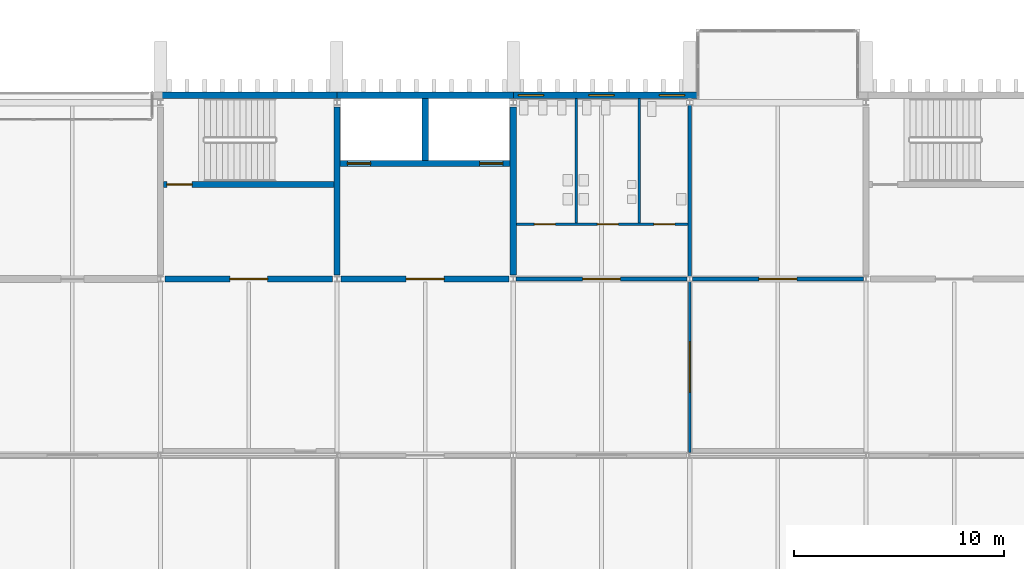
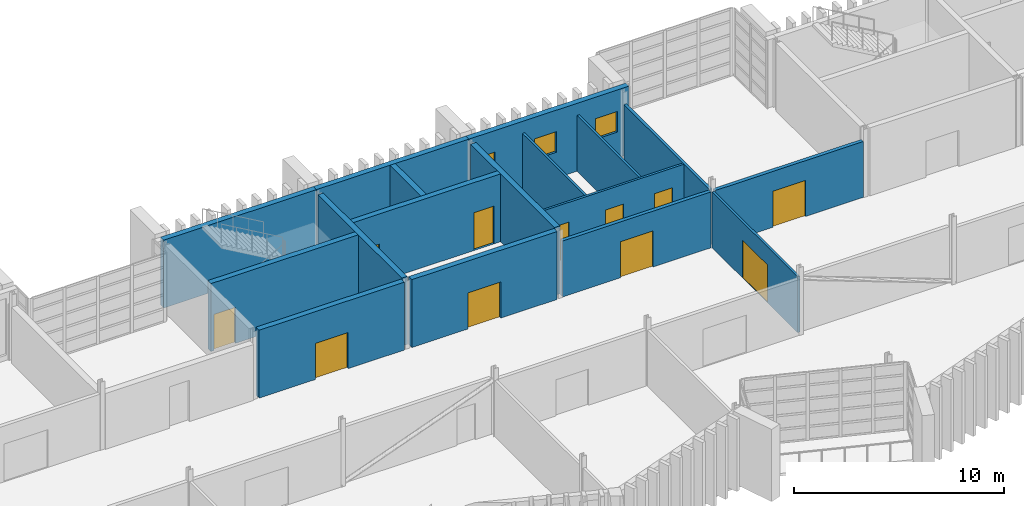
# One storey, part 60 of 88: 17 walls, 11 doors, 3 windows, 14 openings.
"""IFC4 building model written with IfcOpenShell, lengths in metres."""

from ifc_helpers import new_model, si_unit, direction, frame, frame_2d, origin, place, context, subcontext, project, spatial, rectangle, extrude, material, layer, layer_set, type_object, element, fill, save


model = new_model("IFC4")

# Units and contexts
model_context = context("Model", 3, precision=1e-05, world=origin(), true_north=direction((0.0, 1.0)))
body_context = subcontext(model_context, "Body", "Model", "MODEL_VIEW")
ifc_project = project(units=[si_unit("LENGTHUNIT", "METRE"), si_unit("AREAUNIT", "SQUARE_METRE"), si_unit("VOLUMEUNIT", "CUBIC_METRE"), si_unit("PLANEANGLEUNIT", "RADIAN"), si_unit("MASSUNIT", "GRAM", prefix="KILO")], contexts=[model_context])

# Site, building, storey
site_placement = place(None, origin())
site = spatial("IfcSite", under=ifc_project, at=site_placement, CompositionType="ELEMENT")
building_placement = place(site_placement, origin())
building = spatial("IfcBuilding", under=site, at=building_placement, Name="Cresset Court Congress Hotel", CompositionType="ELEMENT")
storey_placement = place(building_placement, frame((0.0, 0.0, 14.39990234375)))
storey = spatial("IfcBuildingStorey", under=building, at=storey_placement, Name="L03", CompositionType="ELEMENT", Elevation=14.39990234375)

# Walls
ifc_material_1 = material(Name="Concrete C50", Category="concrete")
ifc_layer_1 = layer(ifc_material_1, 0.300048828125)
ifc_layer_set_1 = layer_set([ifc_layer_1], Name="Core wall 300 Concrete C50")
wall_type_1 = type_object("IfcWallType", Name="Core wall 300 Concrete C50", PredefinedType="SHEAR", material=ifc_layer_set_1)
for number, where, z_axis, x_axis, name in (
    (1, (109.199951171875, 17.0, 0.0), (0.0, 0.0, 1.0), (0.0, 1.0, 0.0), "Core wall LC-B2"),
    (2, (117.60009765625, 17.0, 0.0), (0.0, 0.0, 1.0), (0.0, 1.0, 0.0), "Core wall LC-B2"),
):
    element("IfcWall", number, at=place(storey_placement, frame(where, z_axis=z_axis, x_axis=x_axis)), inside=storey, type_object=wall_type_1, Name=name, PredefinedType="SHEAR", context=body_context, shape_type="SweptSolid", body=[
        extrude(rectangle(XDim=8.0, YDim=0.300048828125, at=frame_2d((4.0, 0.0))), origin(), (0.0, 0.0, 1.0), 3.9501953125),
    ])

# Wall, opening, door
wall_1_placement = place(storey_placement, frame((109.39990234375, 16.800048828125, 0.0), z_axis=(0.0, 0.0, 1.0), x_axis=(1.0, 0.0, 0.0)))
wall_1 = element("IfcWall", 3, at=wall_1_placement, inside=storey, type_object=wall_type_1, Name="Core wall LC-B2", PredefinedType="SHEAR", context=body_context, shape_type="SweptSolid", body=[
    extrude(rectangle(XDim=8.0, YDim=0.300048828125, at=frame_2d((4.0, 0.0))), origin(), (0.0, 0.0, 1.0), 3.9501953125),
])
opening_1_placement = place(wall_1_placement, frame((3.10009765625, 0.0, 0.0)))
opening_1 = element("IfcOpeningElement", 4, at=opening_1_placement, cuts=wall_1, Name="Opening DB-03-38", PredefinedType="OPENING", context=body_context, shape_type="SweptSolid", body=[
    extrude(rectangle(XDim=1.800048828125, YDim=2.10009765625, at=frame_2d((0.89990234375, 1.050048828125))), frame((0.0, 0.159912109375, 0.0), z_axis=(0.0, -1.0, 0.0), x_axis=(1.0, 0.0, 0.0)), (0.0, 0.0, 1.0), 0.320068359375),
])
ifc_material_2 = material(Name="Timber and steel frame", Category="steel")
door_type_1 = type_object("IfcDoorType", Name="Lobby fire door FD60 double 1800x2100", OperationType="DOUBLE_DOOR_SINGLE_SWING", PredefinedType="DOOR", material=ifc_material_2)
door_1_placement = place(opening_1_placement, origin())
door_1 = element("IfcDoor", 5, at=door_1_placement, inside=storey, type_object=door_type_1, Name="Lift lobby door LC-B2", OperationType="DOUBLE_DOOR_SINGLE_SWING", OverallHeight=2.10009765625, OverallWidth=1.800048828125, PredefinedType="DOOR", context=body_context, shape_type="SweptSolid", body=[
    extrude(rectangle(XDim=1.800048828125, YDim=2.10009765625, at=frame_2d((0.89990234375, 1.050048828125))), frame((0.0, 0.02490234375, 0.0), z_axis=(0.0, -1.0, 0.0), x_axis=(1.0, 0.0, 0.0)), (0.0, 0.0, 1.0), 0.050048828125),
])
fill(opening_1, door_1)

# Wall, openings, doors
wall_2_placement = place(storey_placement, frame((109.35009765625, 22.300048828125, 0.0), z_axis=(0.0, 0.0, 1.0), x_axis=(1.0, 0.0, 0.0)))
wall_2 = element("IfcWall", 6, at=wall_2_placement, inside=storey, type_object=wall_type_1, Name="Core wall LC-B2", PredefinedType="SHEAR", context=body_context, shape_type="SweptSolid", body=[
    extrude(rectangle(XDim=8.099853515625, YDim=0.300048828125, at=frame_2d((4.0498046875, 0.0))), origin(), (0.0, 0.0, 1.0), 3.9501953125),
])
opening_2_placement = place(wall_2_placement, frame((0.35009765625, 0.0, 0.0)))
opening_2 = element("IfcOpeningElement", 7, at=opening_2_placement, cuts=wall_2, Name="Opening LD-B2-09", PredefinedType="OPENING", context=body_context, shape_type="SweptSolid", body=[
    extrude(rectangle(XDim=1.10009765625, YDim=2.199951171875, at=frame_2d((0.550048828125, 1.10009765625))), frame((0.0, 0.159912109375, 0.0), z_axis=(0.0, -1.0, 0.0), x_axis=(1.0, 0.0, 0.0)), (0.0, 0.0, 1.0), 0.320068359375),
])
opening_3_placement = place(wall_2_placement, frame((6.64990234375, 0.0, 0.0)))
opening_3 = element("IfcOpeningElement", 8, at=opening_3_placement, cuts=wall_2, Name="Opening LD-B2-10", PredefinedType="OPENING", context=body_context, shape_type="SweptSolid", body=[
    extrude(rectangle(XDim=1.10009765625, YDim=2.199951171875, at=frame_2d((0.550048828125, 1.10009765625))), frame((0.0, 0.159912109375, 0.0), z_axis=(0.0, -1.0, 0.0), x_axis=(1.0, 0.0, 0.0)), (0.0, 0.0, 1.0), 0.320068359375),
])
ifc_material_3 = material(Name="Stainless steel", Category="steel")
door_type_2 = type_object("IfcDoorType", Name="Lift landing door sliding 1100x2200", OperationType="SLIDING_TO_LEFT", PredefinedType="DOOR", material=ifc_material_3)
door_2_placement = place(opening_2_placement, origin())
door_2 = element("IfcDoor", 9, at=door_2_placement, inside=storey, type_object=door_type_2, Name="Lift landing door LD-B2-09", OperationType="SLIDING_TO_LEFT", OverallHeight=2.199951171875, OverallWidth=1.10009765625, PredefinedType="DOOR", context=body_context, shape_type="SweptSolid", body=[
    extrude(rectangle(XDim=1.10009765625, YDim=2.199951171875, at=frame_2d((0.550048828125, 1.10009765625))), frame((0.0, 0.02490234375, 0.0), z_axis=(0.0, -1.0, 0.0), x_axis=(1.0, 0.0, 0.0)), (0.0, 0.0, 1.0), 0.050048828125),
])
fill(opening_2, door_2)
door_3_placement = place(opening_3_placement, origin())
door_3 = element("IfcDoor", 10, at=door_3_placement, inside=storey, type_object=door_type_2, Name="Lift landing door LD-B2-10", OperationType="SLIDING_TO_LEFT", OverallHeight=2.199951171875, OverallWidth=1.10009765625, PredefinedType="DOOR", context=body_context, shape_type="SweptSolid", body=[
    extrude(rectangle(XDim=1.10009765625, YDim=2.199951171875, at=frame_2d((0.550048828125, 1.10009765625))), frame((0.0, 0.02490234375, 0.0), z_axis=(0.0, -1.0, 0.0), x_axis=(1.0, 0.0, 0.0)), (0.0, 0.0, 1.0), 0.050048828125),
])
fill(opening_3, door_3)

# Wall
wall_3_placement = place(storey_placement, frame((113.39990234375, 22.449951171875, 0.0), z_axis=(0.0, 0.0, 1.0), x_axis=(0.0, 1.0, 0.0)))
element("IfcWall", 11, at=wall_3_placement, inside=storey, type_object=wall_type_1, Name="Core wall LC-B2", PredefinedType="SHEAR", context=body_context, shape_type="SweptSolid", body=[
    extrude(rectangle(XDim=2.949951171875, YDim=0.300048828125, at=frame_2d((1.47509765625, 0.0))), origin(), (0.0, 0.0, 1.0), 3.9501953125),
])

# Wall, opening, door
wall_4_placement = place(storey_placement, frame((101.0, 16.800048828125, 0.0), z_axis=(0.0, 0.0, 1.0), x_axis=(1.0, 0.0, 0.0)))
wall_4 = element("IfcWall", 12, at=wall_4_placement, inside=storey, type_object=wall_type_1, Name="Core wall ST-B4", PredefinedType="SHEAR", context=body_context, shape_type="SweptSolid", body=[
    extrude(rectangle(XDim=8.0, YDim=0.300048828125, at=frame_2d((4.0, 0.0))), origin(), (0.0, 0.0, 1.0), 3.9501953125),
])
opening_4_placement = place(wall_4_placement, frame((3.10009765625, 0.0, 0.0)))
opening_4 = element("IfcOpeningElement", 13, at=opening_4_placement, cuts=wall_4, Name="Opening DB-03-51", PredefinedType="OPENING", context=body_context, shape_type="SweptSolid", body=[
    extrude(rectangle(XDim=1.800048828125, YDim=2.10009765625, at=frame_2d((0.89990234375, 1.050048828125))), frame((0.0, 0.159912109375, 0.0), z_axis=(0.0, -1.0, 0.0), x_axis=(1.0, 0.0, 0.0)), (0.0, 0.0, 1.0), 0.320068359375),
])
door_4_placement = place(opening_4_placement, origin())
door_4 = element("IfcDoor", 14, at=door_4_placement, inside=storey, type_object=door_type_1, Name="Stair lobby door ST-B4", OperationType="DOUBLE_DOOR_SINGLE_SWING", OverallHeight=2.10009765625, OverallWidth=1.800048828125, PredefinedType="DOOR", context=body_context, shape_type="SweptSolid", body=[
    extrude(rectangle(XDim=1.800048828125, YDim=2.10009765625, at=frame_2d((0.89990234375, 1.050048828125))), frame((0.0, 0.02490234375, 0.0), z_axis=(0.0, -1.0, 0.0), x_axis=(1.0, 0.0, 0.0)), (0.0, 0.0, 1.0), 0.050048828125),
])
fill(opening_4, door_4)

wall_5_placement = place(storey_placement, frame((100.949951171875, 21.300048828125, 0.0), z_axis=(0.0, 0.0, 1.0), x_axis=(1.0, 0.0, 0.0)))
wall_5 = element("IfcWall", 15, at=wall_5_placement, inside=storey, type_object=wall_type_1, Name="Core wall ST-B4", PredefinedType="SHEAR", context=body_context, shape_type="SweptSolid", body=[
    extrude(rectangle(XDim=8.10009765625, YDim=0.300048828125, at=frame_2d((4.050048828125, 0.0))), origin(), (0.0, 0.0, 1.0), 3.9501953125),
])
opening_5_placement = place(wall_5_placement, frame((0.14990234375, 0.0, 0.0)))
opening_5 = element("IfcOpeningElement", 16, at=opening_5_placement, cuts=wall_5, Name="Opening DB-03-50", PredefinedType="OPENING", context=body_context, shape_type="SweptSolid", body=[
    extrude(rectangle(XDim=1.199951171875, YDim=2.10009765625, at=frame_2d((0.60009765625, 1.050048828125))), frame((0.0, 0.159912109375, 0.0), z_axis=(0.0, -1.0, 0.0), x_axis=(1.0, 0.0, 0.0)), (0.0, 0.0, 1.0), 0.320068359375),
])
ifc_material_4 = material(Name="Timber and steel frame", Category="steel")
door_type_3 = type_object("IfcDoorType", Name="Stair fire door FD60 1200x2100", OperationType="SINGLE_SWING_LEFT", PredefinedType="DOOR", material=ifc_material_4)
door_5_placement = place(opening_5_placement, origin())
door_5 = element("IfcDoor", 17, at=door_5_placement, inside=storey, type_object=door_type_3, Name="Stair door ST-B4", OperationType="SINGLE_SWING_LEFT", OverallHeight=2.10009765625, OverallWidth=1.199951171875, PredefinedType="DOOR", context=body_context, shape_type="SweptSolid", body=[
    extrude(rectangle(XDim=1.199951171875, YDim=2.10009765625, at=frame_2d((0.60009765625, 1.050048828125))), frame((0.0, 0.02490234375, 0.0), z_axis=(0.0, -1.0, 0.0), x_axis=(1.0, 0.0, 0.0)), (0.0, 0.0, 1.0), 0.050048828125),
])
fill(opening_5, door_5)

# Walls
ifc_material_5 = material(Name="Concrete C50", Category="concrete")
ifc_layer_2 = layer(ifc_material_5, 0.300048828125)
ifc_layer_set_2 = layer_set([ifc_layer_2], Name="Core wall 300 Concrete C50 external")
wall_type_2 = type_object("IfcWallType", Name="Core wall 300 Concrete C50 external", PredefinedType="SHEAR", material=ifc_layer_set_2)
wall_6_placement = place(storey_placement, frame((109.199951171875, 25.550048828125, 0.0), z_axis=(0.0, 0.0, 1.0), x_axis=(1.0, 0.0, 0.0)))
element("IfcWall", 18, at=wall_6_placement, inside=storey, type_object=wall_type_2, Name="Core wall LC-B2", PredefinedType="SHEAR", context=body_context, shape_type="SweptSolid", body=[
    extrude(rectangle(XDim=8.400146484375, YDim=0.300048828125, at=frame_2d((4.2001953125, 0.0))), origin(), (0.0, 0.0, 1.0), 3.9501953125),
])
wall_7_placement = place(storey_placement, frame((100.800048828125, 25.550048828125, 0.0), z_axis=(0.0, 0.0, 1.0), x_axis=(1.0, 0.0, 0.0)))
element("IfcWall", 19, at=wall_7_placement, inside=storey, type_object=wall_type_2, Name="Core wall ST-B4", PredefinedType="SHEAR", context=body_context, shape_type="SweptSolid", body=[
    extrude(rectangle(XDim=8.39990234375, YDim=0.300048828125, at=frame_2d((4.199951171875, 0.0))), origin(), (0.0, 0.0, 1.0), 3.9501953125),
])

# Wall, openings, windows
ifc_material_6 = material(Name="Concrete C40", Category="concrete")
ifc_layer_3 = layer(ifc_material_6, 0.300048828125)
ifc_layer_set_3 = layer_set([ifc_layer_3], Name="External wall 300 Concrete C40")
wall_type_3 = type_object("IfcWallType", Name="External wall 300 Concrete C40", PredefinedType="SOLIDWALL", material=ifc_layer_set_3)
wall_8_placement = place(storey_placement, frame((117.5, 25.550048828125, 0.0), z_axis=(0.0, 0.0, 1.0), x_axis=(1.0, 0.0, 0.0)))
wall_8 = element("IfcWall", 20, at=wall_8_placement, inside=storey, type_object=wall_type_3, Name="External wall", PredefinedType="SOLIDWALL", context=body_context, shape_type="SweptSolid", body=[
    extrude(rectangle(XDim=8.89990234375, YDim=0.300048828125, at=frame_2d((4.449951171875, 0.0))), origin(), (0.0, 0.0, 1.0), 3.9501953125),
])
opening_6_placement = place(wall_8_placement, frame((0.340087890625, 0.0, 1.5)))
opening_6 = element("IfcOpeningElement", 21, at=opening_6_placement, cuts=wall_8, Name="Opening NB-03-62", PredefinedType="OPENING", context=body_context, shape_type="SweptSolid", body=[
    extrude(rectangle(XDim=1.199951171875, YDim=1.199951171875, at=frame_2d((0.60009765625, 0.60009765625))), frame((0.0, 0.159912109375, 0.0), z_axis=(0.0, -1.0, 0.0), x_axis=(1.0, 0.0, 0.0)), (0.0, 0.0, 1.0), 0.320068359375),
])
opening_7_placement = place(wall_8_placement, frame((3.699951171875, 0.0, 1.5)))
opening_7 = element("IfcOpeningElement", 22, at=opening_7_placement, cuts=wall_8, Name="Opening NB-03-63", PredefinedType="OPENING", context=body_context, shape_type="SweptSolid", body=[
    extrude(rectangle(XDim=1.199951171875, YDim=1.199951171875, at=frame_2d((0.60009765625, 0.60009765625))), frame((0.0, 0.159912109375, 0.0), z_axis=(0.0, -1.0, 0.0), x_axis=(1.0, 0.0, 0.0)), (0.0, 0.0, 1.0), 0.320068359375),
])
opening_8_placement = place(wall_8_placement, frame((7.06005859375, 0.0, 1.5)))
opening_8 = element("IfcOpeningElement", 23, at=opening_8_placement, cuts=wall_8, Name="Opening NB-03-64", PredefinedType="OPENING", context=body_context, shape_type="SweptSolid", body=[
    extrude(rectangle(XDim=1.199951171875, YDim=1.199951171875, at=frame_2d((0.60009765625, 0.60009765625))), frame((0.0, 0.159912109375, 0.0), z_axis=(0.0, -1.0, 0.0), x_axis=(1.0, 0.0, 0.0)), (0.0, 0.0, 1.0), 0.320068359375),
])
ifc_material_7 = material(Name="Aluminium frame with double glazing", Category="aluminium")
window_type = type_object("IfcWindowType", Name="Window 1200x1200", PartitioningType="SINGLE_PANEL", PredefinedType="WINDOW", material=ifc_material_7)
window_1_placement = place(opening_6_placement, origin())
window_1 = element("IfcWindow", 24, at=window_1_placement, inside=storey, type_object=window_type, Name="Window NB-03-62", OverallHeight=1.199951171875, OverallWidth=1.199951171875, PartitioningType="SINGLE_PANEL", PredefinedType="WINDOW", context=body_context, shape_type="SweptSolid", body=[
    extrude(rectangle(XDim=1.199951171875, YDim=1.199951171875, at=frame_2d((0.60009765625, 0.60009765625))), frame((0.0, 0.030029296875, 0.0), z_axis=(0.0, -1.0, 0.0), x_axis=(1.0, 0.0, 0.0)), (0.0, 0.0, 1.0), 0.06005859375),
])
fill(opening_6, window_1)
window_2_placement = place(opening_7_placement, origin())
window_2 = element("IfcWindow", 25, at=window_2_placement, inside=storey, type_object=window_type, Name="Window NB-03-63", OverallHeight=1.199951171875, OverallWidth=1.199951171875, PartitioningType="SINGLE_PANEL", PredefinedType="WINDOW", context=body_context, shape_type="SweptSolid", body=[
    extrude(rectangle(XDim=1.199951171875, YDim=1.199951171875, at=frame_2d((0.60009765625, 0.60009765625))), frame((0.0, 0.030029296875, 0.0), z_axis=(0.0, -1.0, 0.0), x_axis=(1.0, 0.0, 0.0)), (0.0, 0.0, 1.0), 0.06005859375),
])
fill(opening_7, window_2)
window_3_placement = place(opening_8_placement, origin())
window_3 = element("IfcWindow", 26, at=window_3_placement, inside=storey, type_object=window_type, Name="Window NB-03-64", OverallHeight=1.199951171875, OverallWidth=1.199951171875, PartitioningType="SINGLE_PANEL", PredefinedType="WINDOW", context=body_context, shape_type="SweptSolid", body=[
    extrude(rectangle(XDim=1.199951171875, YDim=1.199951171875, at=frame_2d((0.60009765625, 0.60009765625))), frame((0.0, 0.030029296875, 0.0), z_axis=(0.0, -1.0, 0.0), x_axis=(1.0, 0.0, 0.0)), (0.0, 0.0, 1.0), 0.06005859375),
])
fill(opening_8, window_3)

# Wall, opening, door
ifc_material_8 = material(Name="Gypsum board on steel studs", Category="steel")
ifc_layer_4 = layer(ifc_material_8, 0.199951171875)
ifc_layer_set_4 = layer_set([ifc_layer_4], Name="Foyer wall 200")
wall_type_4 = type_object("IfcWallType", Name="Foyer wall 200", PredefinedType="PARTITIONING", material=ifc_layer_set_4)
wall_9_placement = place(storey_placement, frame((117.72509765625, 16.800048828125, 0.0), z_axis=(0.0, 0.0, 1.0), x_axis=(1.0, 0.0, 0.0)))
wall_9 = element("IfcWall", 27, at=wall_9_placement, inside=storey, type_object=wall_type_4, Name="Foyer wall", PredefinedType="PARTITIONING", context=body_context, shape_type="SweptSolid", body=[
    extrude(rectangle(XDim=8.14990234375, YDim=0.199951171875, at=frame_2d((4.074951171875, 0.0))), origin(), (0.0, 0.0, 1.0), 3.25),
])
opening_9_placement = place(wall_9_placement, frame((3.175048828125, 0.0, 0.0)))
opening_9 = element("IfcOpeningElement", 28, at=opening_9_placement, cuts=wall_9, Name="Opening DB-03-24", PredefinedType="OPENING", context=body_context, shape_type="SweptSolid", body=[
    extrude(rectangle(XDim=1.800048828125, YDim=2.10009765625, at=frame_2d((0.89990234375, 1.050048828125))), frame((0.0, 0.10986328125, 0.0), z_axis=(0.0, -1.0, 0.0), x_axis=(1.0, 0.0, 0.0)), (0.0, 0.0, 1.0), 0.219970703125),
])
ifc_material_9 = material(Name="Timber and steel frame", Category="steel")
door_type_4 = type_object("IfcDoorType", Name="Fire door FD30 double 1800x2100", OperationType="DOUBLE_DOOR_SINGLE_SWING", PredefinedType="DOOR", material=ifc_material_9)
door_6_placement = place(opening_9_placement, origin())
door_6 = element("IfcDoor", 29, at=door_6_placement, inside=storey, type_object=door_type_4, Name="Toilet lobby door", OperationType="DOUBLE_DOOR_SINGLE_SWING", OverallHeight=2.10009765625, OverallWidth=1.800048828125, PredefinedType="DOOR", context=body_context, shape_type="SweptSolid", body=[
    extrude(rectangle(XDim=1.800048828125, YDim=2.10009765625, at=frame_2d((0.89990234375, 1.050048828125))), frame((0.0, 0.02490234375, 0.0), z_axis=(0.0, -1.0, 0.0), x_axis=(1.0, 0.0, 0.0)), (0.0, 0.0, 1.0), 0.050048828125),
])
fill(opening_9, door_6)

wall_10_placement = place(storey_placement, frame((126.125, 16.800048828125, 0.0), z_axis=(0.0, 0.0, 1.0), x_axis=(1.0, 0.0, 0.0)))
wall_10 = element("IfcWall", 30, at=wall_10_placement, inside=storey, type_object=wall_type_4, Name="Foyer wall", PredefinedType="PARTITIONING", context=body_context, shape_type="SweptSolid", body=[
    extrude(rectangle(XDim=8.14990234375, YDim=0.199951171875, at=frame_2d((4.074951171875, 0.0))), origin(), (0.0, 0.0, 1.0), 3.25),
])
opening_10_placement = place(wall_10_placement, frame((3.175048828125, 0.0, 0.0)))
opening_10 = element("IfcOpeningElement", 31, at=opening_10_placement, cuts=wall_10, Name="Opening DB-03-25", PredefinedType="OPENING", context=body_context, shape_type="SweptSolid", body=[
    extrude(rectangle(XDim=1.800048828125, YDim=2.10009765625, at=frame_2d((0.89990234375, 1.050048828125))), frame((0.0, 0.10986328125, 0.0), z_axis=(0.0, -1.0, 0.0), x_axis=(1.0, 0.0, 0.0)), (0.0, 0.0, 1.0), 0.219970703125),
])
door_7_placement = place(opening_10_placement, origin())
door_7 = element("IfcDoor", 32, at=door_7_placement, inside=storey, type_object=door_type_4, Name="Meeting Room door", OperationType="DOUBLE_DOOR_SINGLE_SWING", OverallHeight=2.10009765625, OverallWidth=1.800048828125, PredefinedType="DOOR", context=body_context, shape_type="SweptSolid", body=[
    extrude(rectangle(XDim=1.800048828125, YDim=2.10009765625, at=frame_2d((0.89990234375, 1.050048828125))), frame((0.0, 0.02490234375, 0.0), z_axis=(0.0, -1.0, 0.0), x_axis=(1.0, 0.0, 0.0)), (0.0, 0.0, 1.0), 0.050048828125),
])
fill(opening_10, door_7)

ifc_material_10 = material(Name="Fire-resisting glazed screen")
ifc_layer_5 = layer(ifc_material_10, 0.125)
ifc_layer_set_5 = layer_set([ifc_layer_5], Name="Glazed fire screen 125")
wall_type_5 = type_object("IfcWallType", Name="Glazed fire screen 125", PredefinedType="PARTITIONING", material=ifc_layer_set_5)
wall_11_placement = place(storey_placement, frame((126.0, 8.52490234375, 0.0), z_axis=(0.0, 0.0, 1.0), x_axis=(0.0, 1.0, 0.0)))
wall_11 = element("IfcWall", 33, at=wall_11_placement, inside=storey, type_object=wall_type_5, Name="Glazed fire screen", PredefinedType="PARTITIONING", context=body_context, shape_type="SweptSolid", body=[
    extrude(rectangle(XDim=8.150146484375, YDim=0.125, at=frame_2d((4.0751953125, 0.0))), origin(), (0.0, 0.0, 1.0), 3.25),
])
opening_11_placement = place(wall_11_placement, frame((2.875, 0.0, 0.0)))
opening_11 = element("IfcOpeningElement", 34, at=opening_11_placement, cuts=wall_11, Name="Opening DB-03-34", PredefinedType="OPENING", context=body_context, shape_type="SweptSolid", body=[
    extrude(rectangle(XDim=2.39990234375, YDim=2.199951171875, at=frame_2d((1.199951171875, 1.10009765625))), frame((0.0, 0.072509765625, 0.0), z_axis=(0.0, -1.0, 0.0), x_axis=(1.0, 0.0, 0.0)), (0.0, 0.0, 1.0), 0.14501953125),
])
ifc_material_11 = material(Name="Fire-resisting glazing in steel frame", Category="steel")
door_type_5 = type_object("IfcDoorType", Name="Smoke door glazed double 2400x2200", OperationType="DOUBLE_DOOR_SINGLE_SWING", PredefinedType="DOOR", material=ifc_material_11)
door_8_placement = place(opening_11_placement, origin())
door_8 = element("IfcDoor", 35, at=door_8_placement, inside=storey, type_object=door_type_5, Name="Foyer screen door", OperationType="DOUBLE_DOOR_SINGLE_SWING", OverallHeight=2.199951171875, OverallWidth=2.39990234375, PredefinedType="DOOR", context=body_context, shape_type="SweptSolid", body=[
    extrude(rectangle(XDim=2.39990234375, YDim=2.199951171875, at=frame_2d((1.199951171875, 1.10009765625))), frame((0.0, 0.02490234375, 0.0), z_axis=(0.0, -1.0, 0.0), x_axis=(1.0, 0.0, 0.0)), (0.0, 0.0, 1.0), 0.050048828125),
])
fill(opening_11, door_8)

# Wall
ifc_material_12 = material(Name="Gypsum board on steel studs", Category="steel")
ifc_layer_6 = layer(ifc_material_12, 0.14990234375)
ifc_layer_set_6 = layer_set([ifc_layer_6], Name="Partition 150")
wall_type_6 = type_object("IfcWallType", Name="Partition 150", PredefinedType="PARTITIONING", material=ifc_layer_set_6)
wall_12_placement = place(storey_placement, frame((126.0, 16.925048828125, 0.0), z_axis=(0.0, 0.0, 1.0), x_axis=(0.0, 1.0, 0.0)))
element("IfcWall", 36, at=wall_12_placement, inside=storey, type_object=wall_type_6, Name="Partition", PredefinedType="PARTITIONING", context=body_context, shape_type="SweptSolid", body=[
    extrude(rectangle(XDim=8.14990234375, YDim=0.14990234375, at=frame_2d((4.074951171875, 0.0))), origin(), (0.0, 0.0, 1.0), 3.25),
])

# Wall, openings, doors
ifc_material_13 = material(Name="Moisture-resistant board on steel studs", Category="steel")
ifc_layer_7 = layer(ifc_material_13, 0.125)
ifc_layer_set_7 = layer_set([ifc_layer_7], Name="Wet area partition 125")
wall_type_7 = type_object("IfcWallType", Name="Wet area partition 125", PredefinedType="PARTITIONING", material=ifc_layer_set_7)
wall_13_placement = place(storey_placement, frame((117.75, 19.39990234375, 0.0), z_axis=(0.0, 0.0, 1.0), x_axis=(1.0, 0.0, 0.0)))
wall_13 = element("IfcWall", 37, at=wall_13_placement, inside=storey, type_object=wall_type_7, Name="Wet area partition", PredefinedType="PARTITIONING", context=body_context, shape_type="SweptSolid", body=[
    extrude(rectangle(XDim=8.175048828125, YDim=0.125, at=frame_2d((4.08740234375, 0.0))), origin(), (0.0, 0.0, 1.0), 3.25),
])
opening_12_placement = place(wall_13_placement, frame((0.85009765625, 0.0, 0.0)))
opening_12 = element("IfcOpeningElement", 38, at=opening_12_placement, cuts=wall_13, Name="Opening DB-03-30", PredefinedType="OPENING", context=body_context, shape_type="SweptSolid", body=[
    extrude(rectangle(XDim=1.0, YDim=2.10009765625, at=frame_2d((0.5, 1.050048828125))), frame((0.0, 0.072509765625, 0.0), z_axis=(0.0, -1.0, 0.0), x_axis=(1.0, 0.0, 0.0)), (0.0, 0.0, 1.0), 0.14501953125),
])
opening_13_placement = place(wall_13_placement, frame((3.85009765625, 0.0, 0.0)))
opening_13 = element("IfcOpeningElement", 39, at=opening_13_placement, cuts=wall_13, Name="Opening DB-03-31", PredefinedType="OPENING", context=body_context, shape_type="SweptSolid", body=[
    extrude(rectangle(XDim=1.0, YDim=2.10009765625, at=frame_2d((0.5, 1.050048828125))), frame((0.0, 0.072509765625, 0.0), z_axis=(0.0, -1.0, 0.0), x_axis=(1.0, 0.0, 0.0)), (0.0, 0.0, 1.0), 0.14501953125),
])
opening_14_placement = place(wall_13_placement, frame((6.550048828125, 0.0, 0.0)))
opening_14 = element("IfcOpeningElement", 40, at=opening_14_placement, cuts=wall_13, Name="Opening DB-03-32", PredefinedType="OPENING", context=body_context, shape_type="SweptSolid", body=[
    extrude(rectangle(XDim=1.0, YDim=2.10009765625, at=frame_2d((0.5, 1.050048828125))), frame((0.0, 0.072509765625, 0.0), z_axis=(0.0, -1.0, 0.0), x_axis=(1.0, 0.0, 0.0)), (0.0, 0.0, 1.0), 0.14501953125),
])
ifc_material_14 = material(Name="Timber and steel frame", Category="steel")
door_type_6 = type_object("IfcDoorType", Name="Single door 1000x2100", OperationType="SINGLE_SWING_LEFT", PredefinedType="DOOR", material=ifc_material_14)
door_9_placement = place(opening_14_placement, origin())
door_9 = element("IfcDoor", 41, at=door_9_placement, inside=storey, type_object=door_type_6, Name="Accessible WC door", OperationType="SINGLE_SWING_LEFT", OverallHeight=2.10009765625, OverallWidth=1.0, PredefinedType="DOOR", context=body_context, shape_type="SweptSolid", body=[
    extrude(rectangle(XDim=1.0, YDim=2.10009765625, at=frame_2d((0.5, 1.050048828125))), frame((0.0, 0.02490234375, 0.0), z_axis=(0.0, -1.0, 0.0), x_axis=(1.0, 0.0, 0.0)), (0.0, 0.0, 1.0), 0.050048828125),
])
fill(opening_14, door_9)
ifc_material_15 = material(Name="Timber and steel frame", Category="steel")
door_type_7 = type_object("IfcDoorType", Name="Toilet door 1000x2100", OperationType="SINGLE_SWING_LEFT", PredefinedType="DOOR", material=ifc_material_15)
door_10_placement = place(opening_12_placement, origin())
door_10 = element("IfcDoor", 42, at=door_10_placement, inside=storey, type_object=door_type_7, Name="Women's WC door", OperationType="SINGLE_SWING_LEFT", OverallHeight=2.10009765625, OverallWidth=1.0, PredefinedType="DOOR", context=body_context, shape_type="SweptSolid", body=[
    extrude(rectangle(XDim=1.0, YDim=2.10009765625, at=frame_2d((0.5, 1.050048828125))), frame((0.0, 0.02490234375, 0.0), z_axis=(0.0, -1.0, 0.0), x_axis=(1.0, 0.0, 0.0)), (0.0, 0.0, 1.0), 0.050048828125),
])
fill(opening_12, door_10)
door_11_placement = place(opening_13_placement, origin())
door_11 = element("IfcDoor", 43, at=door_11_placement, inside=storey, type_object=door_type_7, Name="Men's WC door", OperationType="SINGLE_SWING_LEFT", OverallHeight=2.10009765625, OverallWidth=1.0, PredefinedType="DOOR", context=body_context, shape_type="SweptSolid", body=[
    extrude(rectangle(XDim=1.0, YDim=2.10009765625, at=frame_2d((0.5, 1.050048828125))), frame((0.0, 0.02490234375, 0.0), z_axis=(0.0, -1.0, 0.0), x_axis=(1.0, 0.0, 0.0)), (0.0, 0.0, 1.0), 0.050048828125),
])
fill(opening_13, door_11)

# Walls
for number, where, z_axis, x_axis, name in (
    (44, (120.60009765625, 19.46240234375, 0.0), (0.0, 0.0, 1.0), (0.0, 1.0, 0.0), "Wet area partition"),
    (45, (123.60009765625, 19.46240234375, 0.0), (0.0, 0.0, 1.0), (0.0, 1.0, 0.0), "Wet area partition"),
):
    element("IfcWall", number, at=place(storey_placement, frame(where, z_axis=z_axis, x_axis=x_axis)), inside=storey, type_object=wall_type_7, Name=name, PredefinedType="PARTITIONING", context=body_context, shape_type="SweptSolid", body=[
        extrude(rectangle(XDim=5.9375, YDim=0.125, at=frame_2d((2.96875, 0.0))), origin(), (0.0, 0.0, 1.0), 3.25),
    ])

save(model, "model.ifc")
